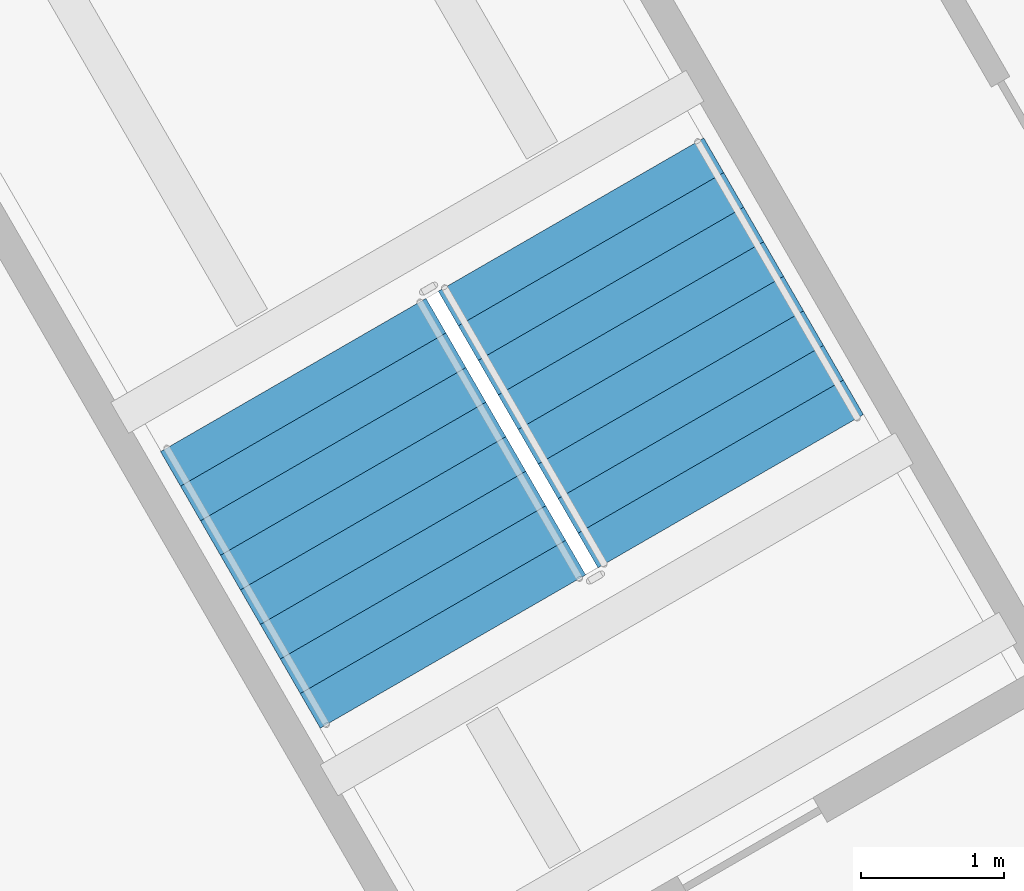
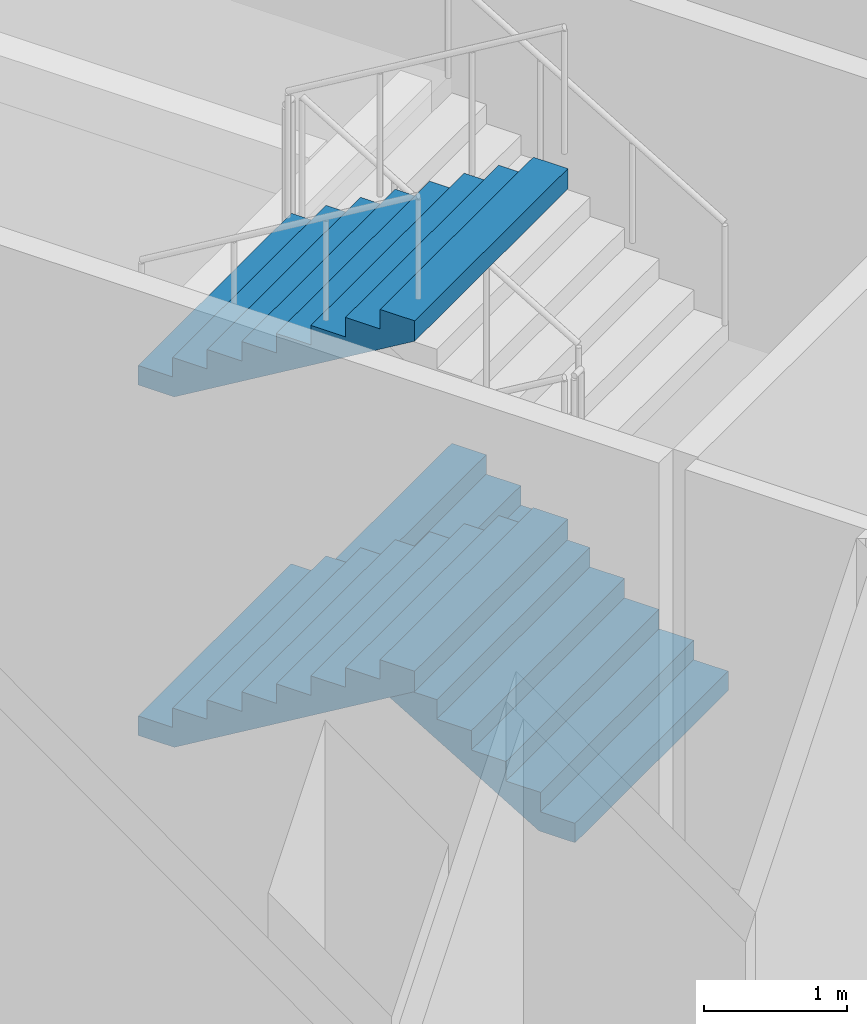
# One storey, part 13 of 29: 3 stair flights, 1 element without a shape of its own.
"""IFC4 building model written with IfcOpenShell, lengths in metres."""

from ifc_helpers import new_model, si_unit, direction, frame, origin, place, context, subcontext, project, spatial, triangles, material, type_object, element, aggregate, save


model = new_model("IFC4")

# Units and contexts
model_context = context("Model", 3, precision=1e-05, world=origin(), true_north=direction((0.0, 1.0)))
body_context = subcontext(model_context, "Body", "Model", "MODEL_VIEW")
ifc_project = project(units=[si_unit("LENGTHUNIT", "METRE"), si_unit("AREAUNIT", "SQUARE_METRE"), si_unit("VOLUMEUNIT", "CUBIC_METRE"), si_unit("PLANEANGLEUNIT", "RADIAN"), si_unit("MASSUNIT", "GRAM", prefix="KILO")], contexts=[model_context])

# Site, building, storey
site_placement = place(None, origin())
site = spatial("IfcSite", under=ifc_project, at=site_placement, CompositionType="ELEMENT")
building_placement = place(site_placement, origin())
building = spatial("IfcBuilding", under=site, at=building_placement, Name="Verdalira Terraces Hotel", CompositionType="ELEMENT")
storey_placement = place(building_placement, frame((0.0, 0.0, 8.0)))
storey = spatial("IfcBuildingStorey", under=building, at=storey_placement, Name="L01", CompositionType="ELEMENT", Elevation=8.0)

# Stair, stair flights
ifc_material_1 = material(Name="Concrete C40", Category="concrete")
stair_type = type_object("IfcStairType", Name="Podium stair 36 risers", PredefinedType="HALF_TURN_STAIR", material=ifc_material_1)
stair_placement = place(storey_placement, origin())
stair = element("IfcStair", 1, at=stair_placement, inside=storey, type_object=stair_type, Name="L01 Exit stair PS2", PredefinedType="HALF_TURN_STAIR")
ifc_material_2 = material(Name="Concrete C40", Category="concrete")
stair_flight_type = type_object("IfcStairFlightType", Name="Podium stair flight 36 risers", PredefinedType="STRAIGHT", material=ifc_material_2)
stair_flight_1_placement = place(storey_placement, frame((-27.056396, -16.487061, 0.0), z_axis=(0.0, 0.0, 1.0), x_axis=(-0.5, 0.866025404, 0.0)))
stair_flight_1 = element("IfcStairFlight", 2, at=stair_flight_1_placement, type_object=stair_flight_type, Name="PS2 flight 1", NumberOfRisers=9, NumberOfTreads=8, PredefinedType="STRAIGHT", RiserHeight=0.166666667, TreadLength=0.28, context=body_context, shape_type="Tessellation", body=[
    triangles([(0.0, 1.074951, 0.0), (0.292969, 1.074951, 0.0), (2.23999, 1.074951, 1.158936), (0.0, -1.074951, 0.0), (0.292969, -1.074951, 0.0), (2.23999, -1.074951, 1.158936), (2.23999, 1.074951, 1.333252), (1.959961, 1.074951, 1.333252), (2.23999, -1.074951, 1.333252), (1.959961, -1.074951, 1.333252), (1.959961, 1.074951, 1.166748), (1.959961, -1.074951, 1.166748), (1.679932, 1.074951, 1.166748), (1.679932, -1.074951, 1.166748), (1.679932, 1.074951, 1.0), (1.679932, -1.074951, 1.0), (1.399902, 1.074951, 1.0), (1.399902, 1.074951, 0.833252), (1.399902, -1.074951, 1.0), (1.399902, -1.074951, 0.833252), (1.120117, 1.074951, 0.833252), (1.120117, 1.074951, 0.666748), (1.120117, -1.074951, 0.833252), (1.120117, -1.074951, 0.666748), (0.840088, 1.074951, 0.666748), (0.840088, 1.074951, 0.5), (0.840088, -1.074951, 0.666748), (0.840088, -1.074951, 0.5), (0.560059, 1.074951, 0.5), (0.560059, 1.074951, 0.333252), (0.560059, -1.074951, 0.5), (0.560059, -1.074951, 0.333252), (0.280029, 1.074951, 0.333252), (0.280029, 1.074951, 0.166748), (0.280029, -1.074951, 0.333252), (0.280029, -1.074951, 0.166748), (0.0, 1.074951, 0.166748), (0.0, -1.074951, 0.166748), (0.0, -1.007767, 0.0), (0.0, -1.007767, 0.166748), (0.0, -0.940582, 0.0), (0.0, -0.940582, 0.166748), (0.0, -0.873398, 0.0), (0.0, -0.873398, 0.166748), (0.0, -0.806213, 0.0), (0.0, -0.806213, 0.166748), (0.0, -0.739029, 0.0), (0.0, -0.739029, 0.166748), (0.0, -0.671844, 0.0), (0.0, -0.671844, 0.166748), (0.0, -0.60466, 0.0), (0.0, -0.60466, 0.166748), (0.0, -0.537476, 0.0), (0.0, -0.537476, 0.166748), (0.0, -0.470291, 0.0), (0.0, -0.470291, 0.166748), (0.0, -0.403107, 0.0), (0.0, -0.403107, 0.166748), (0.0, -0.335922, 0.0), (0.0, -0.335922, 0.166748), (0.0, -0.268738, 0.0), (0.0, -0.268738, 0.166748), (0.0, -0.201553, 0.0), (0.0, -0.201553, 0.166748), (0.0, -0.134369, 0.0), (0.0, -0.134369, 0.166748), (0.0, -0.067184, 0.0), (0.0, -0.067184, 0.166748), (0.0, 0.0, 0.0), (0.0, 0.0, 0.166748), (0.0, 0.067184, 0.0), (0.0, 0.067184, 0.166748), (0.0, 0.134369, 0.0), (0.0, 0.134369, 0.166748), (0.0, 0.201553, 0.0), (0.0, 0.201553, 0.166748), (0.0, 0.268738, 0.0), (0.0, 0.268738, 0.166748), (0.0, 0.335922, 0.0), (0.0, 0.335922, 0.166748), (0.0, 0.403107, 0.0), (0.0, 0.403107, 0.166748), (0.0, 0.470291, 0.0), (0.0, 0.470291, 0.166748), (0.0, 0.537476, 0.0), (0.0, 0.537476, 0.166748), (0.0, 0.60466, 0.0), (0.0, 0.60466, 0.166748), (0.0, 0.671844, 0.0), (0.0, 0.671844, 0.166748), (0.0, 0.739029, 0.0), (0.0, 0.739029, 0.166748), (0.0, 0.806213, 0.0), (0.0, 0.806213, 0.166748), (0.0, 0.873398, 0.0), (0.0, 0.873398, 0.166748), (0.0, 0.940582, 0.0), (0.0, 0.940582, 0.166748), (0.0, 1.007767, 0.0), (0.0, 1.007767, 0.166748), (2.23999, -1.007767, 1.333252), (2.23999, -0.940582, 1.333252), (2.23999, -0.873398, 1.333252), (2.23999, -0.806213, 1.333252), (2.23999, -0.739029, 1.333252), (2.23999, -0.671844, 1.333252), (2.23999, -0.60466, 1.333252), (2.23999, -0.537476, 1.333252), (2.23999, -0.470291, 1.333252), (2.23999, -0.403107, 1.333252), (2.23999, -0.335922, 1.333252), (2.23999, -0.268738, 1.333252), (2.23999, -0.201553, 1.333252), (2.23999, -0.134369, 1.333252), (2.23999, -0.067184, 1.333252), (2.23999, 0.0, 1.333252), (2.23999, 0.067184, 1.333252), (2.23999, 0.134369, 1.333252), (2.23999, 0.201553, 1.333252), (2.23999, 0.268738, 1.333252), (2.23999, 0.335922, 1.333252), (2.23999, 0.403107, 1.333252), (2.23999, 0.470291, 1.333252), (2.23999, 0.537476, 1.333252), (2.23999, 0.60466, 1.333252), (2.23999, 0.671844, 1.333252), (2.23999, 0.739029, 1.333252), (2.23999, 0.806213, 1.333252), (2.23999, 0.873398, 1.333252), (2.23999, 0.940582, 1.333252), (2.23999, 1.007767, 1.333252), (2.23999, -1.007767, 1.158936), (2.23999, -0.940582, 1.158936), (2.23999, -0.873398, 1.158936), (2.23999, -0.806213, 1.158936), (2.23999, -0.739029, 1.158936), (2.23999, -0.671844, 1.158936), (2.23999, -0.60466, 1.158936), (2.23999, -0.537476, 1.158936), (2.23999, -0.470291, 1.158936), (2.23999, -0.403107, 1.158936), (2.23999, -0.335922, 1.158936), (2.23999, -0.268738, 1.158936), (2.23999, -0.201553, 1.158936), (2.23999, -0.134369, 1.158936), (2.23999, -0.067184, 1.158936), (2.23999, 0.0, 1.158936), (2.23999, 0.067184, 1.158936), (2.23999, 0.134369, 1.158936), (2.23999, 0.201553, 1.158936), (2.23999, 0.268738, 1.158936), (2.23999, 0.335922, 1.158936), (2.23999, 0.403107, 1.158936), (2.23999, 0.470291, 1.158936), (2.23999, 0.537476, 1.158936), (2.23999, 0.60466, 1.158936), (2.23999, 0.671844, 1.158936), (2.23999, 0.739029, 1.158936), (2.23999, 0.806213, 1.158936), (2.23999, 0.873398, 1.158936), (2.23999, 0.940582, 1.158936), (2.23999, 1.007767, 1.158936)], [[1, 3, 2], [4, 5, 6], [3, 8, 7], [6, 9, 10], [3, 11, 8], [6, 10, 12], [3, 13, 11], [6, 12, 14], [3, 15, 13], [6, 14, 16], [15, 18, 17], [16, 19, 20], [3, 18, 15], [6, 16, 20], [18, 22, 21], [20, 23, 24], [3, 22, 18], [6, 20, 24], [22, 26, 25], [24, 27, 28], [3, 26, 22], [6, 24, 28], [26, 30, 29], [28, 31, 32], [3, 30, 26], [6, 28, 32], [1, 30, 3], [4, 6, 32], [30, 34, 33], [32, 35, 36], [1, 34, 30], [4, 32, 36], [34, 1, 37], [36, 38, 4], [4, 40, 39], [4, 38, 40], [39, 42, 41], [39, 40, 42], [41, 44, 43], [41, 42, 44], [43, 46, 45], [43, 44, 46], [45, 48, 47], [45, 46, 48], [47, 50, 49], [47, 48, 50], [49, 52, 51], [49, 50, 52], [51, 54, 53], [51, 52, 54], [53, 56, 55], [53, 54, 56], [55, 58, 57], [55, 56, 58], [57, 60, 59], [57, 58, 60], [59, 62, 61], [59, 60, 62], [61, 64, 63], [61, 62, 64], [63, 66, 65], [63, 64, 66], [65, 68, 67], [65, 66, 68], [67, 70, 69], [67, 68, 70], [69, 72, 71], [69, 70, 72], [71, 74, 73], [71, 72, 74], [73, 76, 75], [73, 74, 76], [75, 78, 77], [75, 76, 78], [77, 80, 79], [77, 78, 80], [79, 82, 81], [79, 80, 82], [81, 84, 83], [81, 82, 84], [83, 86, 85], [83, 84, 86], [85, 88, 87], [85, 86, 88], [87, 90, 89], [87, 88, 90], [89, 92, 91], [89, 90, 92], [91, 94, 93], [91, 92, 94], [93, 96, 95], [93, 94, 96], [95, 98, 97], [95, 96, 98], [97, 100, 99], [97, 98, 100], [99, 37, 1], [99, 100, 37], [38, 36, 40], [40, 36, 42], [42, 36, 44], [44, 36, 46], [46, 36, 48], [48, 36, 50], [50, 36, 52], [52, 36, 54], [54, 36, 56], [56, 36, 58], [58, 36, 60], [60, 36, 62], [62, 36, 64], [64, 36, 66], [66, 36, 68], [68, 36, 70], [70, 36, 72], [72, 36, 74], [74, 36, 76], [76, 36, 78], [78, 36, 80], [80, 36, 82], [82, 36, 84], [84, 36, 86], [86, 36, 88], [88, 36, 90], [90, 36, 92], [92, 36, 94], [94, 36, 96], [96, 36, 98], [98, 36, 100], [100, 36, 37], [37, 36, 34], [36, 33, 34], [36, 35, 33], [35, 30, 33], [35, 32, 30], [32, 29, 30], [32, 31, 29], [31, 26, 29], [31, 28, 26], [28, 25, 26], [28, 27, 25], [27, 22, 25], [27, 24, 22], [24, 21, 22], [24, 23, 21], [23, 18, 21], [23, 20, 18], [20, 17, 18], [20, 19, 17], [19, 15, 17], [19, 16, 15], [16, 13, 15], [16, 14, 13], [14, 11, 13], [14, 12, 11], [12, 8, 11], [12, 10, 8], [9, 101, 10], [101, 102, 10], [102, 103, 10], [103, 104, 10], [104, 105, 10], [105, 106, 10], [106, 107, 10], [107, 108, 10], [108, 109, 10], [109, 110, 10], [110, 111, 10], [111, 112, 10], [112, 113, 10], [113, 114, 10], [114, 115, 10], [115, 116, 10], [116, 117, 10], [117, 118, 10], [118, 119, 10], [119, 120, 10], [120, 121, 10], [121, 122, 10], [122, 123, 10], [123, 124, 10], [124, 125, 10], [125, 126, 10], [126, 127, 10], [127, 128, 10], [128, 129, 10], [129, 130, 10], [130, 131, 10], [131, 7, 10], [7, 8, 10], [9, 132, 101], [9, 6, 132], [101, 133, 102], [101, 132, 133], [102, 134, 103], [102, 133, 134], [103, 135, 104], [103, 134, 135], [104, 136, 105], [104, 135, 136], [105, 137, 106], [105, 136, 137], [106, 138, 107], [106, 137, 138], [107, 139, 108], [107, 138, 139], [108, 140, 109], [108, 139, 140], [109, 141, 110], [109, 140, 141], [110, 142, 111], [110, 141, 142], [111, 143, 112], [111, 142, 143], [112, 144, 113], [112, 143, 144], [113, 145, 114], [113, 144, 145], [114, 146, 115], [114, 145, 146], [115, 147, 116], [115, 146, 147], [116, 148, 117], [116, 147, 148], [117, 149, 118], [117, 148, 149], [118, 150, 119], [118, 149, 150], [119, 151, 120], [119, 150, 151], [120, 152, 121], [120, 151, 152], [121, 153, 122], [121, 152, 153], [122, 154, 123], [122, 153, 154], [123, 155, 124], [123, 154, 155], [124, 156, 125], [124, 155, 156], [125, 157, 126], [125, 156, 157], [126, 158, 127], [126, 157, 158], [127, 159, 128], [127, 158, 159], [128, 160, 129], [128, 159, 160], [129, 161, 130], [129, 160, 161], [130, 162, 131], [130, 161, 162], [131, 3, 7], [131, 162, 3], [6, 5, 132], [132, 5, 133], [133, 5, 134], [134, 5, 135], [135, 5, 136], [136, 5, 137], [137, 5, 138], [138, 5, 139], [139, 5, 140], [140, 5, 141], [141, 5, 142], [142, 5, 143], [143, 5, 144], [144, 5, 145], [145, 5, 146], [146, 5, 147], [147, 5, 148], [148, 5, 149], [149, 5, 150], [150, 5, 151], [151, 5, 152], [152, 5, 153], [153, 5, 154], [154, 5, 155], [155, 5, 156], [156, 5, 157], [157, 5, 158], [158, 5, 159], [159, 5, 160], [160, 5, 161], [161, 5, 162], [162, 5, 3], [3, 5, 2], [4, 39, 5], [39, 41, 5], [41, 43, 5], [43, 45, 5], [45, 47, 5], [47, 49, 5], [49, 51, 5], [51, 53, 5], [53, 55, 5], [55, 57, 5], [57, 59, 5], [59, 61, 5], [61, 63, 5], [63, 65, 5], [65, 67, 5], [67, 69, 5], [69, 71, 5], [71, 73, 5], [73, 75, 5], [75, 77, 5], [77, 79, 5], [79, 81, 5], [81, 83, 5], [83, 85, 5], [85, 87, 5], [87, 89, 5], [89, 91, 5], [91, 93, 5], [93, 95, 5], [95, 97, 5], [97, 99, 5], [99, 1, 5], [1, 2, 5]], closed=True),
])
stair_flight_2_placement = place(storey_placement, frame((-30.125, -15.672119, 1.5), z_axis=(0.0, 0.0, 1.0), x_axis=(0.5, -0.866025404, 0.0)))
stair_flight_2 = element("IfcStairFlight", 3, at=stair_flight_2_placement, type_object=stair_flight_type, Name="PS2 flight 2", NumberOfRisers=9, NumberOfTreads=8, PredefinedType="STRAIGHT", RiserHeight=0.166666667, TreadLength=0.28, context=body_context, shape_type="Tessellation", body=[
    triangles([(0.0, 1.074951, 0.0), (0.292969, 1.074951, 0.0), (2.23999, 1.074951, 1.158936), (0.0, -1.074951, 0.0), (0.292969, -1.074951, 0.0), (2.23999, -1.074951, 1.158936), (2.23999, 1.074951, 1.333252), (1.959961, 1.074951, 1.333252), (2.23999, -1.074951, 1.333252), (1.959961, -1.074951, 1.333252), (1.959961, 1.074951, 1.166748), (1.959961, -1.074951, 1.166748), (1.679932, 1.074951, 1.166748), (1.679932, -1.074951, 1.166748), (1.679932, 1.074951, 1.0), (1.679932, -1.074951, 1.0), (1.399902, 1.074951, 1.0), (1.399902, 1.074951, 0.833252), (1.399902, -1.074951, 1.0), (1.399902, -1.074951, 0.833252), (1.120117, 1.074951, 0.833252), (1.120117, 1.074951, 0.666748), (1.120117, -1.074951, 0.833252), (1.120117, -1.074951, 0.666748), (0.840088, 1.074951, 0.666748), (0.840088, 1.074951, 0.5), (0.840088, -1.074951, 0.666748), (0.840088, -1.074951, 0.5), (0.560059, 1.074951, 0.5), (0.560059, 1.074951, 0.333252), (0.560059, -1.074951, 0.5), (0.560059, -1.074951, 0.333252), (0.280029, 1.074951, 0.333252), (0.280029, 1.074951, 0.166748), (0.280029, -1.074951, 0.333252), (0.280029, -1.074951, 0.166748), (0.0, 1.074951, 0.166748), (0.0, -1.074951, 0.166748), (0.0, -1.007767, 0.0), (0.0, -1.007767, 0.166748), (0.0, -0.940582, 0.0), (0.0, -0.940582, 0.166748), (0.0, -0.873398, 0.0), (0.0, -0.873398, 0.166748), (0.0, -0.806213, 0.0), (0.0, -0.806213, 0.166748), (0.0, -0.739029, 0.0), (0.0, -0.739029, 0.166748), (0.0, -0.671844, 0.0), (0.0, -0.671844, 0.166748), (0.0, -0.60466, 0.0), (0.0, -0.60466, 0.166748), (0.0, -0.537476, 0.0), (0.0, -0.537476, 0.166748), (0.0, -0.470291, 0.0), (0.0, -0.470291, 0.166748), (0.0, -0.403107, 0.0), (0.0, -0.403107, 0.166748), (0.0, -0.335922, 0.0), (0.0, -0.335922, 0.166748), (0.0, -0.268738, 0.0), (0.0, -0.268738, 0.166748), (0.0, -0.201553, 0.0), (0.0, -0.201553, 0.166748), (0.0, -0.134369, 0.0), (0.0, -0.134369, 0.166748), (0.0, -0.067184, 0.0), (0.0, -0.067184, 0.166748), (0.0, 0.0, 0.0), (0.0, 0.0, 0.166748), (0.0, 0.067184, 0.0), (0.0, 0.067184, 0.166748), (0.0, 0.134369, 0.0), (0.0, 0.134369, 0.166748), (0.0, 0.201553, 0.0), (0.0, 0.201553, 0.166748), (0.0, 0.268738, 0.0), (0.0, 0.268738, 0.166748), (0.0, 0.335922, 0.0), (0.0, 0.335922, 0.166748), (0.0, 0.403107, 0.0), (0.0, 0.403107, 0.166748), (0.0, 0.470291, 0.0), (0.0, 0.470291, 0.166748), (0.0, 0.537476, 0.0), (0.0, 0.537476, 0.166748), (0.0, 0.60466, 0.0), (0.0, 0.60466, 0.166748), (0.0, 0.671844, 0.0), (0.0, 0.671844, 0.166748), (0.0, 0.739029, 0.0), (0.0, 0.739029, 0.166748), (0.0, 0.806213, 0.0), (0.0, 0.806213, 0.166748), (0.0, 0.873398, 0.0), (0.0, 0.873398, 0.166748), (0.0, 0.940582, 0.0), (0.0, 0.940582, 0.166748), (0.0, 1.007767, 0.0), (0.0, 1.007767, 0.166748), (2.23999, -1.007767, 1.333252), (2.23999, -0.940582, 1.333252), (2.23999, -0.873398, 1.333252), (2.23999, -0.806213, 1.333252), (2.23999, -0.739029, 1.333252), (2.23999, -0.671844, 1.333252), (2.23999, -0.60466, 1.333252), (2.23999, -0.537476, 1.333252), (2.23999, -0.470291, 1.333252), (2.23999, -0.403107, 1.333252), (2.23999, -0.335922, 1.333252), (2.23999, -0.268738, 1.333252), (2.23999, -0.201553, 1.333252), (2.23999, -0.134369, 1.333252), (2.23999, -0.067184, 1.333252), (2.23999, 0.0, 1.333252), (2.23999, 0.067184, 1.333252), (2.23999, 0.134369, 1.333252), (2.23999, 0.201553, 1.333252), (2.23999, 0.268738, 1.333252), (2.23999, 0.335922, 1.333252), (2.23999, 0.403107, 1.333252), (2.23999, 0.470291, 1.333252), (2.23999, 0.537476, 1.333252), (2.23999, 0.60466, 1.333252), (2.23999, 0.671844, 1.333252), (2.23999, 0.739029, 1.333252), (2.23999, 0.806213, 1.333252), (2.23999, 0.873398, 1.333252), (2.23999, 0.940582, 1.333252), (2.23999, 1.007767, 1.333252), (2.23999, -1.007767, 1.158936), (2.23999, -0.940582, 1.158936), (2.23999, -0.873398, 1.158936), (2.23999, -0.806213, 1.158936), (2.23999, -0.739029, 1.158936), (2.23999, -0.671844, 1.158936), (2.23999, -0.60466, 1.158936), (2.23999, -0.537476, 1.158936), (2.23999, -0.470291, 1.158936), (2.23999, -0.403107, 1.158936), (2.23999, -0.335922, 1.158936), (2.23999, -0.268738, 1.158936), (2.23999, -0.201553, 1.158936), (2.23999, -0.134369, 1.158936), (2.23999, -0.067184, 1.158936), (2.23999, 0.0, 1.158936), (2.23999, 0.067184, 1.158936), (2.23999, 0.134369, 1.158936), (2.23999, 0.201553, 1.158936), (2.23999, 0.268738, 1.158936), (2.23999, 0.335922, 1.158936), (2.23999, 0.403107, 1.158936), (2.23999, 0.470291, 1.158936), (2.23999, 0.537476, 1.158936), (2.23999, 0.60466, 1.158936), (2.23999, 0.671844, 1.158936), (2.23999, 0.739029, 1.158936), (2.23999, 0.806213, 1.158936), (2.23999, 0.873398, 1.158936), (2.23999, 0.940582, 1.158936), (2.23999, 1.007767, 1.158936)], [[1, 3, 2], [4, 5, 6], [3, 8, 7], [6, 9, 10], [3, 11, 8], [6, 10, 12], [3, 13, 11], [6, 12, 14], [3, 15, 13], [6, 14, 16], [15, 18, 17], [16, 19, 20], [3, 18, 15], [6, 16, 20], [18, 22, 21], [20, 23, 24], [3, 22, 18], [6, 20, 24], [22, 26, 25], [24, 27, 28], [3, 26, 22], [6, 24, 28], [26, 30, 29], [28, 31, 32], [3, 30, 26], [6, 28, 32], [1, 30, 3], [4, 6, 32], [30, 34, 33], [32, 35, 36], [1, 34, 30], [4, 32, 36], [34, 1, 37], [36, 38, 4], [4, 40, 39], [4, 38, 40], [39, 42, 41], [39, 40, 42], [41, 44, 43], [41, 42, 44], [43, 46, 45], [43, 44, 46], [45, 48, 47], [45, 46, 48], [47, 50, 49], [47, 48, 50], [49, 52, 51], [49, 50, 52], [51, 54, 53], [51, 52, 54], [53, 56, 55], [53, 54, 56], [55, 58, 57], [55, 56, 58], [57, 60, 59], [57, 58, 60], [59, 62, 61], [59, 60, 62], [61, 64, 63], [61, 62, 64], [63, 66, 65], [63, 64, 66], [65, 68, 67], [65, 66, 68], [67, 70, 69], [67, 68, 70], [69, 72, 71], [69, 70, 72], [71, 74, 73], [71, 72, 74], [73, 76, 75], [73, 74, 76], [75, 78, 77], [75, 76, 78], [77, 80, 79], [77, 78, 80], [79, 82, 81], [79, 80, 82], [81, 84, 83], [81, 82, 84], [83, 86, 85], [83, 84, 86], [85, 88, 87], [85, 86, 88], [87, 90, 89], [87, 88, 90], [89, 92, 91], [89, 90, 92], [91, 94, 93], [91, 92, 94], [93, 96, 95], [93, 94, 96], [95, 98, 97], [95, 96, 98], [97, 100, 99], [97, 98, 100], [99, 37, 1], [99, 100, 37], [38, 36, 40], [40, 36, 42], [42, 36, 44], [44, 36, 46], [46, 36, 48], [48, 36, 50], [50, 36, 52], [52, 36, 54], [54, 36, 56], [56, 36, 58], [58, 36, 60], [60, 36, 62], [62, 36, 64], [64, 36, 66], [66, 36, 68], [68, 36, 70], [70, 36, 72], [72, 36, 74], [74, 36, 76], [76, 36, 78], [78, 36, 80], [80, 36, 82], [82, 36, 84], [84, 36, 86], [86, 36, 88], [88, 36, 90], [90, 36, 92], [92, 36, 94], [94, 36, 96], [96, 36, 98], [98, 36, 100], [100, 36, 37], [37, 36, 34], [36, 33, 34], [36, 35, 33], [35, 30, 33], [35, 32, 30], [32, 29, 30], [32, 31, 29], [31, 26, 29], [31, 28, 26], [28, 25, 26], [28, 27, 25], [27, 22, 25], [27, 24, 22], [24, 21, 22], [24, 23, 21], [23, 18, 21], [23, 20, 18], [20, 17, 18], [20, 19, 17], [19, 15, 17], [19, 16, 15], [16, 13, 15], [16, 14, 13], [14, 11, 13], [14, 12, 11], [12, 8, 11], [12, 10, 8], [9, 101, 10], [101, 102, 10], [102, 103, 10], [103, 104, 10], [104, 105, 10], [105, 106, 10], [106, 107, 10], [107, 108, 10], [108, 109, 10], [109, 110, 10], [110, 111, 10], [111, 112, 10], [112, 113, 10], [113, 114, 10], [114, 115, 10], [115, 116, 10], [116, 117, 10], [117, 118, 10], [118, 119, 10], [119, 120, 10], [120, 121, 10], [121, 122, 10], [122, 123, 10], [123, 124, 10], [124, 125, 10], [125, 126, 10], [126, 127, 10], [127, 128, 10], [128, 129, 10], [129, 130, 10], [130, 131, 10], [131, 7, 10], [7, 8, 10], [9, 132, 101], [9, 6, 132], [101, 133, 102], [101, 132, 133], [102, 134, 103], [102, 133, 134], [103, 135, 104], [103, 134, 135], [104, 136, 105], [104, 135, 136], [105, 137, 106], [105, 136, 137], [106, 138, 107], [106, 137, 138], [107, 139, 108], [107, 138, 139], [108, 140, 109], [108, 139, 140], [109, 141, 110], [109, 140, 141], [110, 142, 111], [110, 141, 142], [111, 143, 112], [111, 142, 143], [112, 144, 113], [112, 143, 144], [113, 145, 114], [113, 144, 145], [114, 146, 115], [114, 145, 146], [115, 147, 116], [115, 146, 147], [116, 148, 117], [116, 147, 148], [117, 149, 118], [117, 148, 149], [118, 150, 119], [118, 149, 150], [119, 151, 120], [119, 150, 151], [120, 152, 121], [120, 151, 152], [121, 153, 122], [121, 152, 153], [122, 154, 123], [122, 153, 154], [123, 155, 124], [123, 154, 155], [124, 156, 125], [124, 155, 156], [125, 157, 126], [125, 156, 157], [126, 158, 127], [126, 157, 158], [127, 159, 128], [127, 158, 159], [128, 160, 129], [128, 159, 160], [129, 161, 130], [129, 160, 161], [130, 162, 131], [130, 161, 162], [131, 3, 7], [131, 162, 3], [6, 5, 132], [132, 5, 133], [133, 5, 134], [134, 5, 135], [135, 5, 136], [136, 5, 137], [137, 5, 138], [138, 5, 139], [139, 5, 140], [140, 5, 141], [141, 5, 142], [142, 5, 143], [143, 5, 144], [144, 5, 145], [145, 5, 146], [146, 5, 147], [147, 5, 148], [148, 5, 149], [149, 5, 150], [150, 5, 151], [151, 5, 152], [152, 5, 153], [153, 5, 154], [154, 5, 155], [155, 5, 156], [156, 5, 157], [157, 5, 158], [158, 5, 159], [159, 5, 160], [160, 5, 161], [161, 5, 162], [162, 5, 3], [3, 5, 2], [4, 39, 5], [39, 41, 5], [41, 43, 5], [43, 45, 5], [45, 47, 5], [47, 49, 5], [49, 51, 5], [51, 53, 5], [53, 55, 5], [55, 57, 5], [57, 59, 5], [59, 61, 5], [61, 63, 5], [63, 65, 5], [65, 67, 5], [67, 69, 5], [69, 71, 5], [71, 73, 5], [73, 75, 5], [75, 77, 5], [77, 79, 5], [79, 81, 5], [81, 83, 5], [83, 85, 5], [85, 87, 5], [87, 89, 5], [89, 91, 5], [91, 93, 5], [93, 95, 5], [95, 97, 5], [97, 99, 5], [99, 1, 5], [1, 2, 5]], closed=True),
])
stair_flight_3_placement = place(storey_placement, frame((-30.125, -15.672119, 4.5), z_axis=(0.0, 0.0, 1.0), x_axis=(0.5, -0.866025404, 0.0)))
stair_flight_3 = element("IfcStairFlight", 4, at=stair_flight_3_placement, type_object=stair_flight_type, Name="PS2 flight 4", NumberOfRisers=9, NumberOfTreads=8, PredefinedType="STRAIGHT", RiserHeight=0.166666667, TreadLength=0.28, context=body_context, shape_type="Tessellation", body=[
    triangles([(0.0, 1.074951, 0.0), (0.292969, 1.074951, 0.0), (2.23999, 1.074951, 1.158936), (0.0, -1.074951, 0.0), (0.292969, -1.074951, 0.0), (2.23999, -1.074951, 1.158936), (2.23999, 1.074951, 1.333252), (1.959961, 1.074951, 1.333252), (2.23999, -1.074951, 1.333252), (1.959961, -1.074951, 1.333252), (1.959961, 1.074951, 1.166748), (1.959961, -1.074951, 1.166748), (1.679932, 1.074951, 1.166748), (1.679932, -1.074951, 1.166748), (1.679932, 1.074951, 1.0), (1.679932, -1.074951, 1.0), (1.399902, 1.074951, 1.0), (1.399902, 1.074951, 0.833252), (1.399902, -1.074951, 1.0), (1.399902, -1.074951, 0.833252), (1.120117, 1.074951, 0.833252), (1.120117, 1.074951, 0.666748), (1.120117, -1.074951, 0.833252), (1.120117, -1.074951, 0.666748), (0.840088, 1.074951, 0.666748), (0.840088, 1.074951, 0.5), (0.840088, -1.074951, 0.666748), (0.840088, -1.074951, 0.5), (0.560059, 1.074951, 0.5), (0.560059, 1.074951, 0.333252), (0.560059, -1.074951, 0.5), (0.560059, -1.074951, 0.333252), (0.280029, 1.074951, 0.333252), (0.280029, 1.074951, 0.166748), (0.280029, -1.074951, 0.333252), (0.280029, -1.074951, 0.166748), (0.0, 1.074951, 0.166748), (0.0, -1.074951, 0.166748), (0.0, -1.007767, 0.0), (0.0, -1.007767, 0.166748), (0.0, -0.940582, 0.0), (0.0, -0.940582, 0.166748), (0.0, -0.873398, 0.0), (0.0, -0.873398, 0.166748), (0.0, -0.806213, 0.0), (0.0, -0.806213, 0.166748), (0.0, -0.739029, 0.0), (0.0, -0.739029, 0.166748), (0.0, -0.671844, 0.0), (0.0, -0.671844, 0.166748), (0.0, -0.60466, 0.0), (0.0, -0.60466, 0.166748), (0.0, -0.537476, 0.0), (0.0, -0.537476, 0.166748), (0.0, -0.470291, 0.0), (0.0, -0.470291, 0.166748), (0.0, -0.403107, 0.0), (0.0, -0.403107, 0.166748), (0.0, -0.335922, 0.0), (0.0, -0.335922, 0.166748), (0.0, -0.268738, 0.0), (0.0, -0.268738, 0.166748), (0.0, -0.201553, 0.0), (0.0, -0.201553, 0.166748), (0.0, -0.134369, 0.0), (0.0, -0.134369, 0.166748), (0.0, -0.067184, 0.0), (0.0, -0.067184, 0.166748), (0.0, 0.0, 0.0), (0.0, 0.0, 0.166748), (0.0, 0.067184, 0.0), (0.0, 0.067184, 0.166748), (0.0, 0.134369, 0.0), (0.0, 0.134369, 0.166748), (0.0, 0.201553, 0.0), (0.0, 0.201553, 0.166748), (0.0, 0.268738, 0.0), (0.0, 0.268738, 0.166748), (0.0, 0.335922, 0.0), (0.0, 0.335922, 0.166748), (0.0, 0.403107, 0.0), (0.0, 0.403107, 0.166748), (0.0, 0.470291, 0.0), (0.0, 0.470291, 0.166748), (0.0, 0.537476, 0.0), (0.0, 0.537476, 0.166748), (0.0, 0.60466, 0.0), (0.0, 0.60466, 0.166748), (0.0, 0.671844, 0.0), (0.0, 0.671844, 0.166748), (0.0, 0.739029, 0.0), (0.0, 0.739029, 0.166748), (0.0, 0.806213, 0.0), (0.0, 0.806213, 0.166748), (0.0, 0.873398, 0.0), (0.0, 0.873398, 0.166748), (0.0, 0.940582, 0.0), (0.0, 0.940582, 0.166748), (0.0, 1.007767, 0.0), (0.0, 1.007767, 0.166748), (2.23999, -1.007767, 1.333252), (2.23999, -0.940582, 1.333252), (2.23999, -0.873398, 1.333252), (2.23999, -0.806213, 1.333252), (2.23999, -0.739029, 1.333252), (2.23999, -0.671844, 1.333252), (2.23999, -0.60466, 1.333252), (2.23999, -0.537476, 1.333252), (2.23999, -0.470291, 1.333252), (2.23999, -0.403107, 1.333252), (2.23999, -0.335922, 1.333252), (2.23999, -0.268738, 1.333252), (2.23999, -0.201553, 1.333252), (2.23999, -0.134369, 1.333252), (2.23999, -0.067184, 1.333252), (2.23999, 0.0, 1.333252), (2.23999, 0.067184, 1.333252), (2.23999, 0.134369, 1.333252), (2.23999, 0.201553, 1.333252), (2.23999, 0.268738, 1.333252), (2.23999, 0.335922, 1.333252), (2.23999, 0.403107, 1.333252), (2.23999, 0.470291, 1.333252), (2.23999, 0.537476, 1.333252), (2.23999, 0.60466, 1.333252), (2.23999, 0.671844, 1.333252), (2.23999, 0.739029, 1.333252), (2.23999, 0.806213, 1.333252), (2.23999, 0.873398, 1.333252), (2.23999, 0.940582, 1.333252), (2.23999, 1.007767, 1.333252), (2.23999, -1.007767, 1.158936), (2.23999, -0.940582, 1.158936), (2.23999, -0.873398, 1.158936), (2.23999, -0.806213, 1.158936), (2.23999, -0.739029, 1.158936), (2.23999, -0.671844, 1.158936), (2.23999, -0.60466, 1.158936), (2.23999, -0.537476, 1.158936), (2.23999, -0.470291, 1.158936), (2.23999, -0.403107, 1.158936), (2.23999, -0.335922, 1.158936), (2.23999, -0.268738, 1.158936), (2.23999, -0.201553, 1.158936), (2.23999, -0.134369, 1.158936), (2.23999, -0.067184, 1.158936), (2.23999, 0.0, 1.158936), (2.23999, 0.067184, 1.158936), (2.23999, 0.134369, 1.158936), (2.23999, 0.201553, 1.158936), (2.23999, 0.268738, 1.158936), (2.23999, 0.335922, 1.158936), (2.23999, 0.403107, 1.158936), (2.23999, 0.470291, 1.158936), (2.23999, 0.537476, 1.158936), (2.23999, 0.60466, 1.158936), (2.23999, 0.671844, 1.158936), (2.23999, 0.739029, 1.158936), (2.23999, 0.806213, 1.158936), (2.23999, 0.873398, 1.158936), (2.23999, 0.940582, 1.158936), (2.23999, 1.007767, 1.158936)], [[1, 3, 2], [4, 5, 6], [3, 8, 7], [6, 9, 10], [3, 11, 8], [6, 10, 12], [3, 13, 11], [6, 12, 14], [3, 15, 13], [6, 14, 16], [15, 18, 17], [16, 19, 20], [3, 18, 15], [6, 16, 20], [18, 22, 21], [20, 23, 24], [3, 22, 18], [6, 20, 24], [22, 26, 25], [24, 27, 28], [3, 26, 22], [6, 24, 28], [26, 30, 29], [28, 31, 32], [3, 30, 26], [6, 28, 32], [1, 30, 3], [4, 6, 32], [30, 34, 33], [32, 35, 36], [1, 34, 30], [4, 32, 36], [34, 1, 37], [36, 38, 4], [4, 40, 39], [4, 38, 40], [39, 42, 41], [39, 40, 42], [41, 44, 43], [41, 42, 44], [43, 46, 45], [43, 44, 46], [45, 48, 47], [45, 46, 48], [47, 50, 49], [47, 48, 50], [49, 52, 51], [49, 50, 52], [51, 54, 53], [51, 52, 54], [53, 56, 55], [53, 54, 56], [55, 58, 57], [55, 56, 58], [57, 60, 59], [57, 58, 60], [59, 62, 61], [59, 60, 62], [61, 64, 63], [61, 62, 64], [63, 66, 65], [63, 64, 66], [65, 68, 67], [65, 66, 68], [67, 70, 69], [67, 68, 70], [69, 72, 71], [69, 70, 72], [71, 74, 73], [71, 72, 74], [73, 76, 75], [73, 74, 76], [75, 78, 77], [75, 76, 78], [77, 80, 79], [77, 78, 80], [79, 82, 81], [79, 80, 82], [81, 84, 83], [81, 82, 84], [83, 86, 85], [83, 84, 86], [85, 88, 87], [85, 86, 88], [87, 90, 89], [87, 88, 90], [89, 92, 91], [89, 90, 92], [91, 94, 93], [91, 92, 94], [93, 96, 95], [93, 94, 96], [95, 98, 97], [95, 96, 98], [97, 100, 99], [97, 98, 100], [99, 37, 1], [99, 100, 37], [38, 36, 40], [40, 36, 42], [42, 36, 44], [44, 36, 46], [46, 36, 48], [48, 36, 50], [50, 36, 52], [52, 36, 54], [54, 36, 56], [56, 36, 58], [58, 36, 60], [60, 36, 62], [62, 36, 64], [64, 36, 66], [66, 36, 68], [68, 36, 70], [70, 36, 72], [72, 36, 74], [74, 36, 76], [76, 36, 78], [78, 36, 80], [80, 36, 82], [82, 36, 84], [84, 36, 86], [86, 36, 88], [88, 36, 90], [90, 36, 92], [92, 36, 94], [94, 36, 96], [96, 36, 98], [98, 36, 100], [100, 36, 37], [37, 36, 34], [36, 33, 34], [36, 35, 33], [35, 30, 33], [35, 32, 30], [32, 29, 30], [32, 31, 29], [31, 26, 29], [31, 28, 26], [28, 25, 26], [28, 27, 25], [27, 22, 25], [27, 24, 22], [24, 21, 22], [24, 23, 21], [23, 18, 21], [23, 20, 18], [20, 17, 18], [20, 19, 17], [19, 15, 17], [19, 16, 15], [16, 13, 15], [16, 14, 13], [14, 11, 13], [14, 12, 11], [12, 8, 11], [12, 10, 8], [9, 101, 10], [101, 102, 10], [102, 103, 10], [103, 104, 10], [104, 105, 10], [105, 106, 10], [106, 107, 10], [107, 108, 10], [108, 109, 10], [109, 110, 10], [110, 111, 10], [111, 112, 10], [112, 113, 10], [113, 114, 10], [114, 115, 10], [115, 116, 10], [116, 117, 10], [117, 118, 10], [118, 119, 10], [119, 120, 10], [120, 121, 10], [121, 122, 10], [122, 123, 10], [123, 124, 10], [124, 125, 10], [125, 126, 10], [126, 127, 10], [127, 128, 10], [128, 129, 10], [129, 130, 10], [130, 131, 10], [131, 7, 10], [7, 8, 10], [9, 132, 101], [9, 6, 132], [101, 133, 102], [101, 132, 133], [102, 134, 103], [102, 133, 134], [103, 135, 104], [103, 134, 135], [104, 136, 105], [104, 135, 136], [105, 137, 106], [105, 136, 137], [106, 138, 107], [106, 137, 138], [107, 139, 108], [107, 138, 139], [108, 140, 109], [108, 139, 140], [109, 141, 110], [109, 140, 141], [110, 142, 111], [110, 141, 142], [111, 143, 112], [111, 142, 143], [112, 144, 113], [112, 143, 144], [113, 145, 114], [113, 144, 145], [114, 146, 115], [114, 145, 146], [115, 147, 116], [115, 146, 147], [116, 148, 117], [116, 147, 148], [117, 149, 118], [117, 148, 149], [118, 150, 119], [118, 149, 150], [119, 151, 120], [119, 150, 151], [120, 152, 121], [120, 151, 152], [121, 153, 122], [121, 152, 153], [122, 154, 123], [122, 153, 154], [123, 155, 124], [123, 154, 155], [124, 156, 125], [124, 155, 156], [125, 157, 126], [125, 156, 157], [126, 158, 127], [126, 157, 158], [127, 159, 128], [127, 158, 159], [128, 160, 129], [128, 159, 160], [129, 161, 130], [129, 160, 161], [130, 162, 131], [130, 161, 162], [131, 3, 7], [131, 162, 3], [6, 5, 132], [132, 5, 133], [133, 5, 134], [134, 5, 135], [135, 5, 136], [136, 5, 137], [137, 5, 138], [138, 5, 139], [139, 5, 140], [140, 5, 141], [141, 5, 142], [142, 5, 143], [143, 5, 144], [144, 5, 145], [145, 5, 146], [146, 5, 147], [147, 5, 148], [148, 5, 149], [149, 5, 150], [150, 5, 151], [151, 5, 152], [152, 5, 153], [153, 5, 154], [154, 5, 155], [155, 5, 156], [156, 5, 157], [157, 5, 158], [158, 5, 159], [159, 5, 160], [160, 5, 161], [161, 5, 162], [162, 5, 3], [3, 5, 2], [4, 39, 5], [39, 41, 5], [41, 43, 5], [43, 45, 5], [45, 47, 5], [47, 49, 5], [49, 51, 5], [51, 53, 5], [53, 55, 5], [55, 57, 5], [57, 59, 5], [59, 61, 5], [61, 63, 5], [63, 65, 5], [65, 67, 5], [67, 69, 5], [69, 71, 5], [71, 73, 5], [73, 75, 5], [75, 77, 5], [77, 79, 5], [79, 81, 5], [81, 83, 5], [83, 85, 5], [85, 87, 5], [87, 89, 5], [89, 91, 5], [91, 93, 5], [93, 95, 5], [95, 97, 5], [97, 99, 5], [99, 1, 5], [1, 2, 5]], closed=True),
])
aggregate(stair, [stair_flight_1, stair_flight_2, stair_flight_3])

save(model, "model.ifc")
